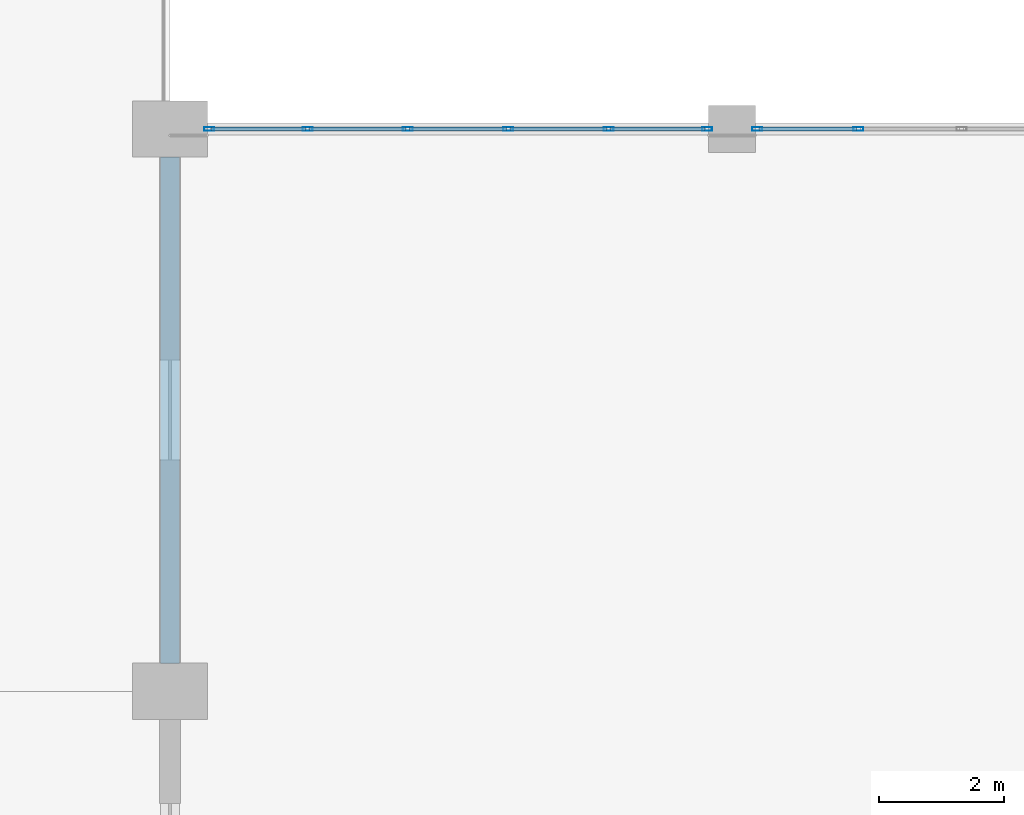
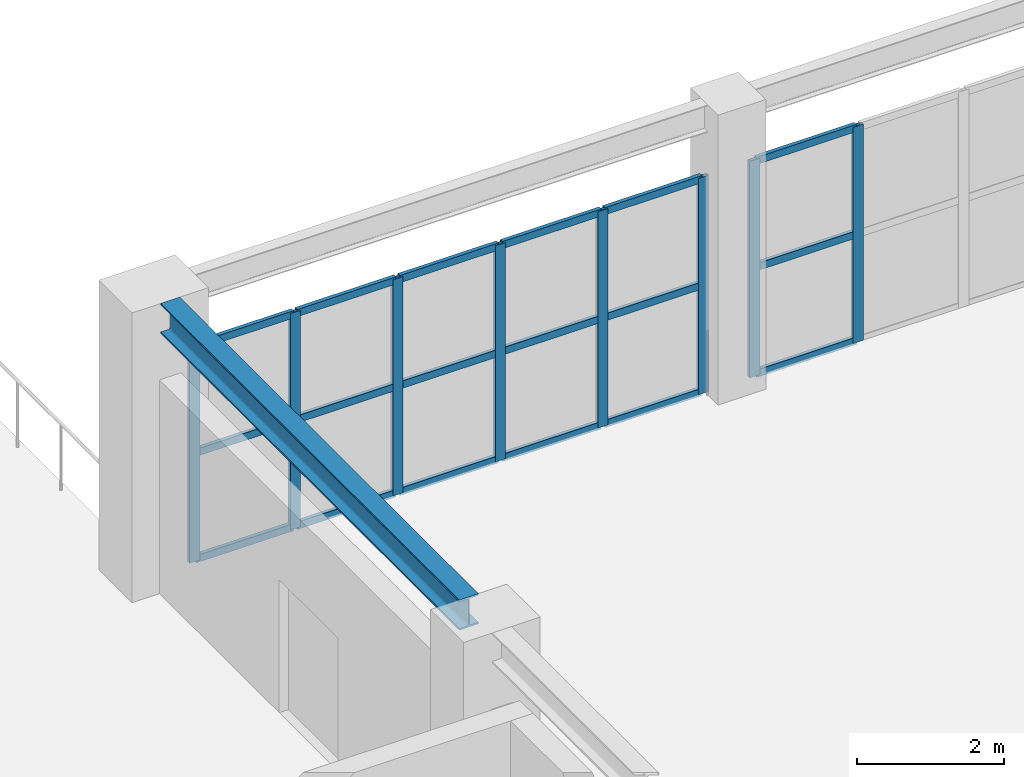
# One storey, part 43 of 89: 26 members, 1 beam, 2 elements without a shape of their own.
"""IFC4 building model written with IfcOpenShell, lengths in metres."""

from ifc_helpers import new_model, si_unit, direction, frame, origin, origin_2d, place, context, subcontext, project, spatial, hollow_rectangle, i_section, extrude, material, layer, layer_set, material_profile, profile_set, type_object, element, aggregate, save


model = new_model("IFC4")

# Units and contexts
model_context = context("Model", 3, precision=1e-05, world=origin(), true_north=direction((0.0, 1.0)))
body_context = subcontext(model_context, "Body", "Model", "MODEL_VIEW")
ifc_project = project(units=[si_unit("LENGTHUNIT", "METRE"), si_unit("AREAUNIT", "SQUARE_METRE"), si_unit("VOLUMEUNIT", "CUBIC_METRE"), si_unit("PLANEANGLEUNIT", "RADIAN"), si_unit("MASSUNIT", "GRAM", prefix="KILO")], contexts=[model_context])

# Site, building, storey
site_placement = place(None, origin())
site = spatial("IfcSite", under=ifc_project, at=site_placement, CompositionType="ELEMENT")
building_placement = place(site_placement, origin())
building = spatial("IfcBuilding", under=site, at=building_placement, Name="Dornveld Trade and Exhibition Forum", CompositionType="ELEMENT")
storey_placement = place(building_placement, frame((0.0, 0.0, 12.0)))
storey = spatial("IfcBuildingStorey", under=building, at=storey_placement, Name="L02", CompositionType="ELEMENT", Elevation=12.0)

# Beam
ifc_material_1 = material(Name="Steel S355J2", Category="steel")
ifc_material_profile_1 = material_profile(ifc_material_1, i_section(OverallWidth=0.300048828125, OverallDepth=0.5, WebThickness=0.014404296875, FlangeThickness=0.028076171875, FilletRadius=0.027099609375, at=origin_2d()), Name="HEB 500")
ifc_profile_set_1 = profile_set([ifc_material_profile_1], Name="Steel S355J2")
beam_type = type_object("IfcBeamType", Name="BM-GIR-HEB500", PredefinedType="USERDEFINED", material=ifc_profile_set_1)
beam_placement = place(storey_placement, frame((27.0, 126.446044921875, 4.550048828125), z_axis=(0.0, 1.0, 0.0), x_axis=(-1.0, 0.0, 0.0)))
element("IfcBeam", 1, at=beam_placement, inside=storey, type_object=beam_type, Name="L02 Y-girder 1455", ObjectType="GIRDER", PredefinedType="USERDEFINED", context=body_context, shape_type="SweptSolid", body=[
    extrude(i_section(OverallWidth=0.300048828125, OverallDepth=0.5, WebThickness=0.014404296875, FlangeThickness=0.028076171875, FilletRadius=0.027099609375, at=origin_2d()), origin(), (0.0, 0.0, 1.0), 8.10791015625),
])

# Curtain wall, members
ifc_material_2 = material(Name="Dark-bronze anodised aluminium and low-E glass", Category="aluminium")
ifc_layer_1 = layer(ifc_material_2, 0.14794921875)
ifc_layer_set_1 = layer_set([ifc_layer_1], Name="Dark-bronze anodised aluminium and low-E glass")
curtain_wall_type_1 = type_object("IfcCurtainWallType", Name="CW-SYS-02", PredefinedType="USERDEFINED", material=ifc_layer_set_1)
curtain_wall_1_placement = place(storey_placement, origin())
curtain_wall_1 = element("IfcCurtainWall", 2, at=curtain_wall_1_placement, inside=storey, type_object=curtain_wall_type_1, Name="L02 unitised curtain wall 20", ObjectType="UNITISED_CURTAIN_WALL", PredefinedType="USERDEFINED")
ifc_material_3 = material(Name="Dark-bronze anodised aluminium", Category="aluminium")
ifc_material_profile_2 = material_profile(ifc_material_3, hollow_rectangle(XDim=0.06005859375, YDim=0.159912109375, WallThickness=0.00390625, at=origin_2d()), Name="RHS 160x60x4")
ifc_profile_set_2 = profile_set([ifc_material_profile_2], Name="Dark-bronze anodised aluminium")
member_type_1 = type_object("IfcMemberType", Name="CW-MUL-160", PredefinedType="MULLION", material=ifc_profile_set_2)
member_1_placement = place(storey_placement, frame((35.59912109375, 135.0, -0.00390625), z_axis=(0.0, 0.0, 1.0), x_axis=(0.0, -1.0, 0.0)))
member_1 = element("IfcMember", 3, at=member_1_placement, type_object=member_type_1, Name="CW-02 mullion 1", PredefinedType="MULLION", context=body_context, shape_type="SweptSolid", body=[
    extrude(hollow_rectangle(XDim=0.06005859375, YDim=0.159912109375, WallThickness=0.00390625, at=origin_2d()), origin(), (0.0, 0.0, 1.0), 3.583984375),
])
member_2_placement = place(storey_placement, frame((34.0224609375, 135.0, -0.00390625), z_axis=(0.0, 0.0, 1.0), x_axis=(0.0, -1.0, 0.0)))
member_2 = element("IfcMember", 4, at=member_2_placement, type_object=member_type_1, Name="CW-02 mullion 2", PredefinedType="MULLION", context=body_context, shape_type="SweptSolid", body=[
    extrude(hollow_rectangle(XDim=0.06005859375, YDim=0.159912109375, WallThickness=0.00390625, at=origin_2d()), origin(), (0.0, 0.0, 1.0), 3.583984375),
])
member_3_placement = place(storey_placement, frame((32.415771484375, 135.0, -0.00390625), z_axis=(0.0, 0.0, 1.0), x_axis=(0.0, -1.0, 0.0)))
member_3 = element("IfcMember", 5, at=member_3_placement, type_object=member_type_1, Name="CW-02 mullion 3", PredefinedType="MULLION", context=body_context, shape_type="SweptSolid", body=[
    extrude(hollow_rectangle(XDim=0.06005859375, YDim=0.159912109375, WallThickness=0.00390625, at=origin_2d()), origin(), (0.0, 0.0, 1.0), 3.583984375),
])
member_4_placement = place(storey_placement, frame((30.80908203125, 135.0, -0.00390625), z_axis=(0.0, 0.0, 1.0), x_axis=(0.0, -1.0, 0.0)))
member_4 = element("IfcMember", 6, at=member_4_placement, type_object=member_type_1, Name="CW-02 mullion 4", PredefinedType="MULLION", context=body_context, shape_type="SweptSolid", body=[
    extrude(hollow_rectangle(XDim=0.06005859375, YDim=0.159912109375, WallThickness=0.00390625, at=origin_2d()), origin(), (0.0, 0.0, 1.0), 3.583984375),
])
member_5_placement = place(storey_placement, frame((29.20263671875, 135.0, -0.00390625), z_axis=(0.0, 0.0, 1.0), x_axis=(0.0, -1.0, 0.0)))
member_5 = element("IfcMember", 7, at=member_5_placement, type_object=member_type_1, Name="CW-02 mullion 5", PredefinedType="MULLION", context=body_context, shape_type="SweptSolid", body=[
    extrude(hollow_rectangle(XDim=0.06005859375, YDim=0.159912109375, WallThickness=0.00390625, at=origin_2d()), origin(), (0.0, 0.0, 1.0), 3.583984375),
])
member_6_placement = place(storey_placement, frame((27.6259765625, 135.0, -0.00390625), z_axis=(0.0, 0.0, 1.0), x_axis=(0.0, -1.0, 0.0)))
member_6 = element("IfcMember", 8, at=member_6_placement, type_object=member_type_1, Name="CW-02 mullion 6", PredefinedType="MULLION", context=body_context, shape_type="SweptSolid", body=[
    extrude(hollow_rectangle(XDim=0.06005859375, YDim=0.159912109375, WallThickness=0.00390625, at=origin_2d()), origin(), (0.0, 0.0, 1.0), 3.583984375),
])

ifc_material_4 = material(Name="Dark-bronze anodised aluminium and low-E glass", Category="aluminium")
ifc_layer_2 = layer(ifc_material_4, 0.154052734375)
ifc_layer_set_2 = layer_set([ifc_layer_2], Name="Dark-bronze anodised aluminium and low-E glass")
curtain_wall_type_2 = type_object("IfcCurtainWallType", Name="CW-SYS-04", PredefinedType="USERDEFINED", material=ifc_layer_set_2)
curtain_wall_2_placement = place(storey_placement, origin())
curtain_wall_2 = element("IfcCurtainWall", 9, at=curtain_wall_2_placement, inside=storey, type_object=curtain_wall_type_2, Name="L02 unitised curtain wall 22", ObjectType="UNITISED_CURTAIN_WALL", PredefinedType="USERDEFINED")
member_7_placement = place(storey_placement, frame((38.022705078125, 135.0, -0.00390625), z_axis=(0.0, 0.0, 1.0), x_axis=(0.0, -1.0, 0.0)))
member_7 = element("IfcMember", 10, at=member_7_placement, type_object=member_type_1, Name="CW-04 mullion 5", PredefinedType="MULLION", context=body_context, shape_type="SweptSolid", body=[
    extrude(hollow_rectangle(XDim=0.06005859375, YDim=0.159912109375, WallThickness=0.00390625, at=origin_2d()), origin(), (0.0, 0.0, 1.0), 3.583984375),
])
member_8_placement = place(storey_placement, frame((36.40087890625, 135.0, -0.00390625), z_axis=(0.0, 0.0, 1.0), x_axis=(0.0, -1.0, 0.0)))
member_8 = element("IfcMember", 11, at=member_8_placement, type_object=member_type_1, Name="CW-04 mullion 6", PredefinedType="MULLION", context=body_context, shape_type="SweptSolid", body=[
    extrude(hollow_rectangle(XDim=0.06005859375, YDim=0.159912109375, WallThickness=0.00390625, at=origin_2d()), origin(), (0.0, 0.0, 1.0), 3.583984375),
])

# Member
ifc_material_5 = material(Name="Dark-bronze anodised aluminium", Category="aluminium")
ifc_material_profile_3 = material_profile(ifc_material_5, hollow_rectangle(XDim=0.06005859375, YDim=0.1201171875, WallThickness=0.00390625, at=origin_2d()), Name="RHS 120x60x4")
ifc_profile_set_3 = profile_set([ifc_material_profile_3], Name="Dark-bronze anodised aluminium")
member_type_2 = type_object("IfcMemberType", Name="CW-TRN-120", PredefinedType="USERDEFINED", material=ifc_profile_set_3)
member_9_placement = place(storey_placement, frame((35.569091796875, 135.0, 0.02587890625), z_axis=(-1.0, 0.0, 0.0), x_axis=(0.0, -1.0, 0.0)))
member_9 = element("IfcMember", 12, at=member_9_placement, type_object=member_type_2, Name="CW-02 transom 1.1", ObjectType="TRANSOM", PredefinedType="USERDEFINED", context=body_context, shape_type="SweptSolid", body=[
    extrude(hollow_rectangle(XDim=0.06005859375, YDim=0.1201171875, WallThickness=0.00390625, at=origin_2d()), origin(), (0.0, 0.0, 1.0), 1.5166015625),
])

member_10_placement = place(storey_placement, frame((35.569091796875, 135.0, 1.7880859375), z_axis=(-1.0, 0.0, 0.0), x_axis=(0.0, -1.0, 0.0)))
member_10 = element("IfcMember", 13, at=member_10_placement, type_object=member_type_2, Name="CW-02 transom 1.2", ObjectType="TRANSOM", PredefinedType="USERDEFINED", context=body_context, shape_type="SweptSolid", body=[
    extrude(hollow_rectangle(XDim=0.06005859375, YDim=0.1201171875, WallThickness=0.00390625, at=origin_2d()), origin(), (0.0, 0.0, 1.0), 1.5166015625),
])

member_11_placement = place(storey_placement, frame((35.569091796875, 135.0, 3.550048828125), z_axis=(-1.0, 0.0, 0.0), x_axis=(0.0, -1.0, 0.0)))
member_11 = element("IfcMember", 14, at=member_11_placement, type_object=member_type_2, Name="CW-02 transom 1.3", ObjectType="TRANSOM", PredefinedType="USERDEFINED", context=body_context, shape_type="SweptSolid", body=[
    extrude(hollow_rectangle(XDim=0.06005859375, YDim=0.1201171875, WallThickness=0.00390625, at=origin_2d()), origin(), (0.0, 0.0, 1.0), 1.5166015625),
])

member_12_placement = place(storey_placement, frame((33.992431640625, 135.0, 0.02587890625), z_axis=(-1.0, 0.0, 0.0), x_axis=(0.0, -1.0, 0.0)))
member_12 = element("IfcMember", 15, at=member_12_placement, type_object=member_type_2, Name="CW-02 transom 2.1", ObjectType="TRANSOM", PredefinedType="USERDEFINED", context=body_context, shape_type="SweptSolid", body=[
    extrude(hollow_rectangle(XDim=0.06005859375, YDim=0.1201171875, WallThickness=0.00390625, at=origin_2d()), origin(), (0.0, 0.0, 1.0), 1.546630859375),
])

member_13_placement = place(storey_placement, frame((33.992431640625, 135.0, 1.7880859375), z_axis=(-1.0, 0.0, 0.0), x_axis=(0.0, -1.0, 0.0)))
member_13 = element("IfcMember", 16, at=member_13_placement, type_object=member_type_2, Name="CW-02 transom 2.2", ObjectType="TRANSOM", PredefinedType="USERDEFINED", context=body_context, shape_type="SweptSolid", body=[
    extrude(hollow_rectangle(XDim=0.06005859375, YDim=0.1201171875, WallThickness=0.00390625, at=origin_2d()), origin(), (0.0, 0.0, 1.0), 1.546630859375),
])

member_14_placement = place(storey_placement, frame((33.992431640625, 135.0, 3.550048828125), z_axis=(-1.0, 0.0, 0.0), x_axis=(0.0, -1.0, 0.0)))
member_14 = element("IfcMember", 17, at=member_14_placement, type_object=member_type_2, Name="CW-02 transom 2.3", ObjectType="TRANSOM", PredefinedType="USERDEFINED", context=body_context, shape_type="SweptSolid", body=[
    extrude(hollow_rectangle(XDim=0.06005859375, YDim=0.1201171875, WallThickness=0.00390625, at=origin_2d()), origin(), (0.0, 0.0, 1.0), 1.546630859375),
])

member_15_placement = place(storey_placement, frame((32.3857421875, 135.0, 0.02587890625), z_axis=(-1.0, 0.0, 0.0), x_axis=(0.0, -1.0, 0.0)))
member_15 = element("IfcMember", 18, at=member_15_placement, type_object=member_type_2, Name="CW-02 transom 3.1", ObjectType="TRANSOM", PredefinedType="USERDEFINED", context=body_context, shape_type="SweptSolid", body=[
    extrude(hollow_rectangle(XDim=0.06005859375, YDim=0.1201171875, WallThickness=0.00390625, at=origin_2d()), origin(), (0.0, 0.0, 1.0), 1.546630859375),
])

member_16_placement = place(storey_placement, frame((32.3857421875, 135.0, 1.7880859375), z_axis=(-1.0, 0.0, 0.0), x_axis=(0.0, -1.0, 0.0)))
member_16 = element("IfcMember", 19, at=member_16_placement, type_object=member_type_2, Name="CW-02 transom 3.2", ObjectType="TRANSOM", PredefinedType="USERDEFINED", context=body_context, shape_type="SweptSolid", body=[
    extrude(hollow_rectangle(XDim=0.06005859375, YDim=0.1201171875, WallThickness=0.00390625, at=origin_2d()), origin(), (0.0, 0.0, 1.0), 1.546630859375),
])

member_17_placement = place(storey_placement, frame((32.3857421875, 135.0, 3.550048828125), z_axis=(-1.0, 0.0, 0.0), x_axis=(0.0, -1.0, 0.0)))
member_17 = element("IfcMember", 20, at=member_17_placement, type_object=member_type_2, Name="CW-02 transom 3.3", ObjectType="TRANSOM", PredefinedType="USERDEFINED", context=body_context, shape_type="SweptSolid", body=[
    extrude(hollow_rectangle(XDim=0.06005859375, YDim=0.1201171875, WallThickness=0.00390625, at=origin_2d()), origin(), (0.0, 0.0, 1.0), 1.546630859375),
])

member_18_placement = place(storey_placement, frame((30.779296875, 135.0, 0.02587890625), z_axis=(-1.0, 0.0, 0.0), x_axis=(0.0, -1.0, 0.0)))
member_18 = element("IfcMember", 21, at=member_18_placement, type_object=member_type_2, Name="CW-02 transom 4.1", ObjectType="TRANSOM", PredefinedType="USERDEFINED", context=body_context, shape_type="SweptSolid", body=[
    extrude(hollow_rectangle(XDim=0.06005859375, YDim=0.1201171875, WallThickness=0.00390625, at=origin_2d()), origin(), (0.0, 0.0, 1.0), 1.546630859375),
])

member_19_placement = place(storey_placement, frame((30.779296875, 135.0, 1.7880859375), z_axis=(-1.0, 0.0, 0.0), x_axis=(0.0, -1.0, 0.0)))
member_19 = element("IfcMember", 22, at=member_19_placement, type_object=member_type_2, Name="CW-02 transom 4.2", ObjectType="TRANSOM", PredefinedType="USERDEFINED", context=body_context, shape_type="SweptSolid", body=[
    extrude(hollow_rectangle(XDim=0.06005859375, YDim=0.1201171875, WallThickness=0.00390625, at=origin_2d()), origin(), (0.0, 0.0, 1.0), 1.546630859375),
])

member_20_placement = place(storey_placement, frame((30.779296875, 135.0, 3.550048828125), z_axis=(-1.0, 0.0, 0.0), x_axis=(0.0, -1.0, 0.0)))
member_20 = element("IfcMember", 23, at=member_20_placement, type_object=member_type_2, Name="CW-02 transom 4.3", ObjectType="TRANSOM", PredefinedType="USERDEFINED", context=body_context, shape_type="SweptSolid", body=[
    extrude(hollow_rectangle(XDim=0.06005859375, YDim=0.1201171875, WallThickness=0.00390625, at=origin_2d()), origin(), (0.0, 0.0, 1.0), 1.546630859375),
])

member_21_placement = place(storey_placement, frame((29.172607421875, 135.0, 0.02587890625), z_axis=(-1.0, 0.0, 0.0), x_axis=(0.0, -1.0, 0.0)))
member_21 = element("IfcMember", 24, at=member_21_placement, type_object=member_type_2, Name="CW-02 transom 5.1", ObjectType="TRANSOM", PredefinedType="USERDEFINED", context=body_context, shape_type="SweptSolid", body=[
    extrude(hollow_rectangle(XDim=0.06005859375, YDim=0.1201171875, WallThickness=0.00390625, at=origin_2d()), origin(), (0.0, 0.0, 1.0), 1.5166015625),
])

member_22_placement = place(storey_placement, frame((29.172607421875, 135.0, 1.7880859375), z_axis=(-1.0, 0.0, 0.0), x_axis=(0.0, -1.0, 0.0)))
member_22 = element("IfcMember", 25, at=member_22_placement, type_object=member_type_2, Name="CW-02 transom 5.2", ObjectType="TRANSOM", PredefinedType="USERDEFINED", context=body_context, shape_type="SweptSolid", body=[
    extrude(hollow_rectangle(XDim=0.06005859375, YDim=0.1201171875, WallThickness=0.00390625, at=origin_2d()), origin(), (0.0, 0.0, 1.0), 1.5166015625),
])

member_23_placement = place(storey_placement, frame((29.172607421875, 135.0, 3.550048828125), z_axis=(-1.0, 0.0, 0.0), x_axis=(0.0, -1.0, 0.0)))
member_23 = element("IfcMember", 26, at=member_23_placement, type_object=member_type_2, Name="CW-02 transom 5.3", ObjectType="TRANSOM", PredefinedType="USERDEFINED", context=body_context, shape_type="SweptSolid", body=[
    extrude(hollow_rectangle(XDim=0.06005859375, YDim=0.1201171875, WallThickness=0.00390625, at=origin_2d()), origin(), (0.0, 0.0, 1.0), 1.5166015625),
])

aggregate(curtain_wall_1, [member_1, member_2, member_3, member_4, member_5, member_6, member_9, member_10, member_11, member_12, member_13, member_14, member_15, member_16, member_17, member_18, member_19, member_20, member_21, member_22, member_23])

member_24_placement = place(storey_placement, frame((37.99267578125, 135.0, 0.02587890625), z_axis=(-1.0, 0.0, 0.0), x_axis=(0.0, -1.0, 0.0)))
member_24 = element("IfcMember", 27, at=member_24_placement, type_object=member_type_2, Name="CW-04 transom 5.1", ObjectType="TRANSOM", PredefinedType="USERDEFINED", context=body_context, shape_type="SweptSolid", body=[
    extrude(hollow_rectangle(XDim=0.06005859375, YDim=0.1201171875, WallThickness=0.00390625, at=origin_2d()), origin(), (0.0, 0.0, 1.0), 1.561767578125),
])

member_25_placement = place(storey_placement, frame((37.99267578125, 135.0, 1.7880859375), z_axis=(-1.0, 0.0, 0.0), x_axis=(0.0, -1.0, 0.0)))
member_25 = element("IfcMember", 28, at=member_25_placement, type_object=member_type_2, Name="CW-04 transom 5.2", ObjectType="TRANSOM", PredefinedType="USERDEFINED", context=body_context, shape_type="SweptSolid", body=[
    extrude(hollow_rectangle(XDim=0.06005859375, YDim=0.1201171875, WallThickness=0.00390625, at=origin_2d()), origin(), (0.0, 0.0, 1.0), 1.561767578125),
])

member_26_placement = place(storey_placement, frame((37.99267578125, 135.0, 3.550048828125), z_axis=(-1.0, 0.0, 0.0), x_axis=(0.0, -1.0, 0.0)))
member_26 = element("IfcMember", 29, at=member_26_placement, type_object=member_type_2, Name="CW-04 transom 5.3", ObjectType="TRANSOM", PredefinedType="USERDEFINED", context=body_context, shape_type="SweptSolid", body=[
    extrude(hollow_rectangle(XDim=0.06005859375, YDim=0.1201171875, WallThickness=0.00390625, at=origin_2d()), origin(), (0.0, 0.0, 1.0), 1.561767578125),
])

aggregate(curtain_wall_2, [member_7, member_8, member_24, member_25, member_26])

save(model, "model.ifc")
